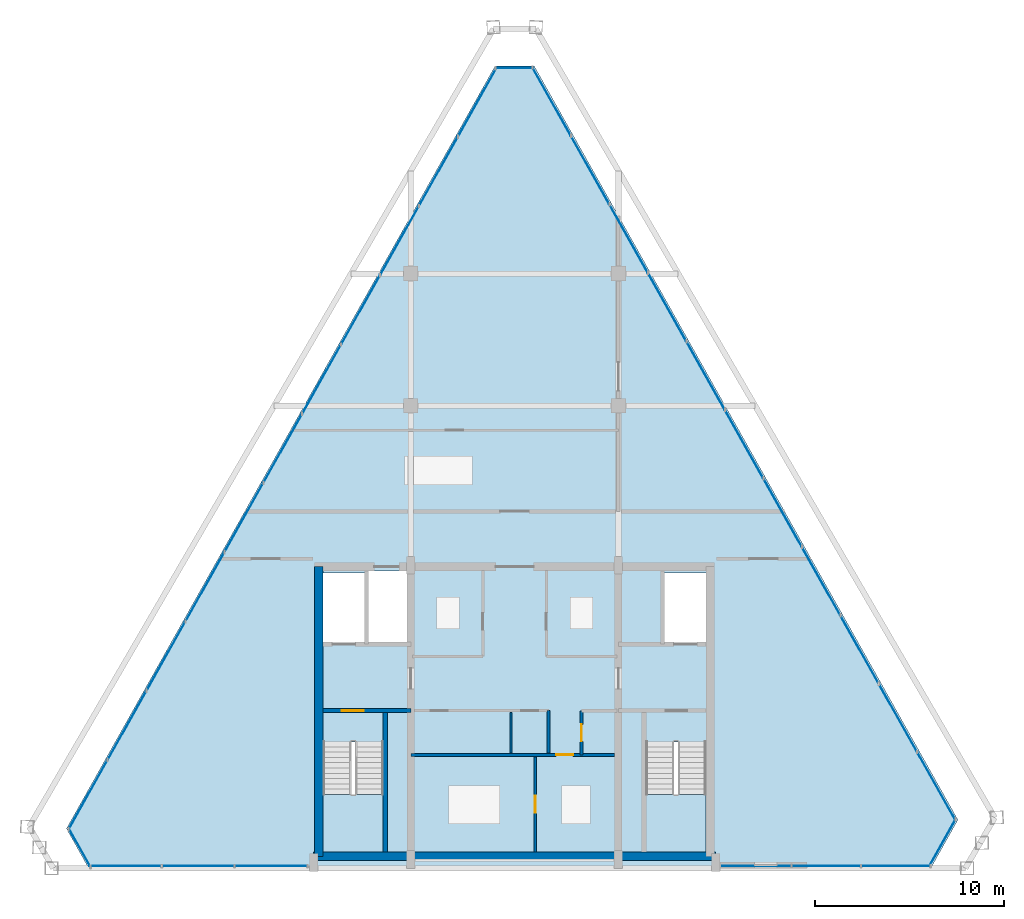
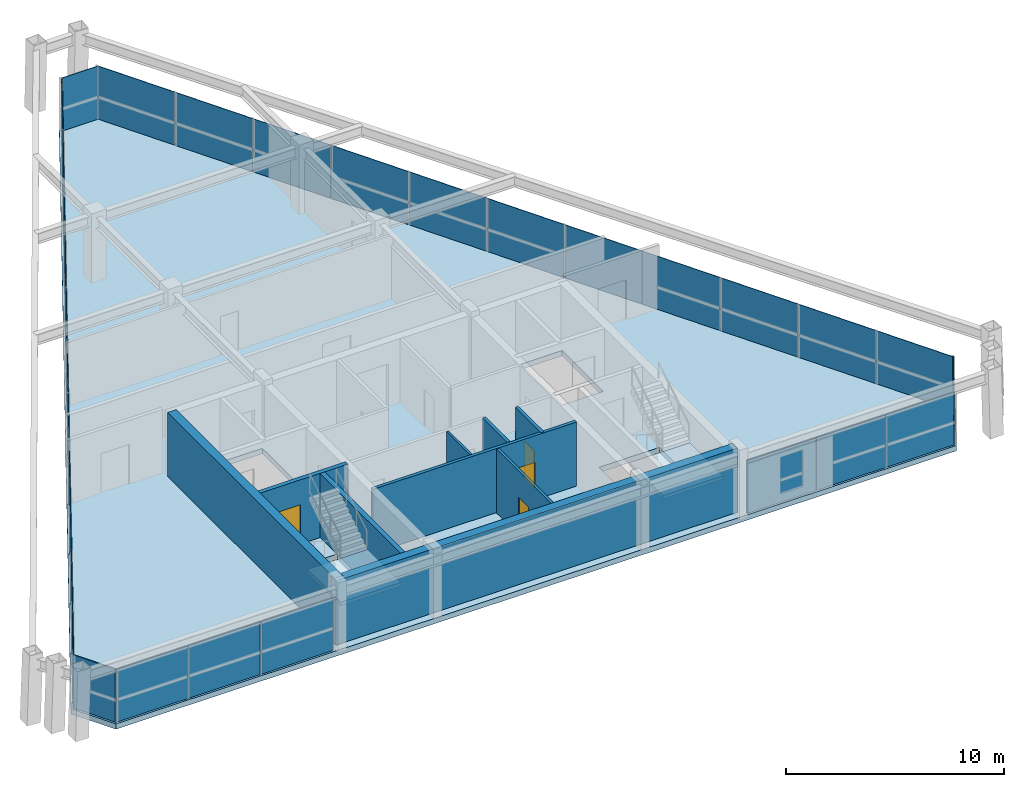
# One storey, part 9 of 12: 31 plates, 9 walls, 4 doors, 3 slabs, 4 openings, 9 elements without a shape of their own.
"""IFC4 building model written with IfcOpenShell, lengths in metres."""

from ifc_helpers import new_model, si_unit, direction, frame, frame_2d, origin, origin_2d, place, context, subcontext, project, spatial, polyline, rectangle, outline, extrude, source, transform, mapped, material, layer, layer_set, type_object, type_shapes, element, fill, aggregate, save


model = new_model("IFC4")

# Units and contexts
model_context = context("Model", 3, precision=1e-05, world=origin(), true_north=direction((0.0, 1.0)))
body_context = subcontext(model_context, "Body", "Model", "MODEL_VIEW")
ifc_project = project(units=[si_unit("LENGTHUNIT", "METRE"), si_unit("AREAUNIT", "SQUARE_METRE"), si_unit("VOLUMEUNIT", "CUBIC_METRE"), si_unit("PLANEANGLEUNIT", "RADIAN"), si_unit("MASSUNIT", "GRAM", prefix="KILO")], contexts=[model_context])

# Site, building, storey
site_placement = place(None, origin())
site = spatial("IfcSite", under=ifc_project, at=site_placement, CompositionType="ELEMENT")
building_placement = place(site_placement, origin())
building = spatial("IfcBuilding", under=site, at=building_placement, Name="Varnakhor Terracotta Tower", CompositionType="ELEMENT")
storey_placement = place(building_placement, frame((0.0, 0.0, 325.300048828125)))
storey = spatial("IfcBuildingStorey", under=building, at=storey_placement, Name="L85 Crown", CompositionType="ELEMENT", Elevation=325.300048828125)

# Stair, slab
ifc_material_1 = material(Name="Concrete C40/50", Category="concrete")
stair_type = type_object("IfcStairType", Name="STR-CORE-HOTEL-1500", PredefinedType="HALF_TURN_STAIR", material=ifc_material_1)
stair_1_placement = place(storey_placement, origin())
stair_1 = element("IfcStair", 1, at=stair_1_placement, inside=storey, type_object=stair_type, Name="L85 Crown Core Exit Stair ST-1", PredefinedType="HALF_TURN_STAIR")
ifc_layer_1 = layer(ifc_material_1, 0.179931640625, Name="Concrete C40/50")
ifc_layer_set_1 = layer_set([ifc_layer_1], Name="Concrete C40/50")
slab_type_1 = type_object("IfcSlabType", Name="SLB-LANDING-180", PredefinedType="LANDING", material=ifc_layer_set_1)
slab_1_placement = place(storey_placement, frame((0.0, 0.0, 1.75)))
slab_1 = element("IfcSlab", 2, at=slab_1_placement, type_object=slab_type_1, Name="ST-1 landing 1", PredefinedType="LANDING", context=body_context, shape_type="SweptSolid", body=[
    extrude(outline(polyline([(-10.14990234375, 3.909912109375), (-10.14990234375, 0.85009765625), (-6.949951171875, 0.85009765625), (-6.949951171875, 3.909912109375), (-10.14990234375, 3.909912109375)])), origin(), (0.0, 0.0, 1.0), 0.199951171875),
])
aggregate(stair_1, [slab_1])

stair_2_placement = place(storey_placement, origin())
stair_2 = element("IfcStair", 3, at=stair_2_placement, inside=storey, type_object=stair_type, Name="L85 Crown Core Exit Stair ST-2", PredefinedType="HALF_TURN_STAIR")
slab_2_placement = place(storey_placement, frame((0.0, 0.0, 1.75)))
slab_2 = element("IfcSlab", 4, at=slab_2_placement, type_object=slab_type_1, Name="ST-2 landing 1", PredefinedType="LANDING", context=body_context, shape_type="SweptSolid", body=[
    extrude(outline(polyline([(6.949951171875, 3.909912109375), (6.949951171875, 0.85009765625), (10.14990234375, 0.85009765625), (10.14990234375, 3.909912109375), (6.949951171875, 3.909912109375)])), origin(), (0.0, 0.0, 1.0), 0.199951171875),
])
aggregate(stair_2, [slab_2])

# Slab
ifc_layer_2 = layer(ifc_material_1, 0.300048828125, Name="Concrete C40/50")
ifc_layer_set_2 = layer_set([ifc_layer_2], Name="Concrete C40/50")
slab_type_2 = type_object("IfcSlabType", Name="SLB-PLANT-300", PredefinedType="FLOOR", material=ifc_layer_set_2)
slab_3_placement = place(storey_placement, frame((0.0, 0.0, -0.300048828125)))
element("IfcSlab", 5, at=slab_3_placement, inside=storey, type_object=slab_type_2, Name="L85 Crown Structural Floor Slab", PredefinedType="FLOOR", context=body_context, shape_type="SweptSolid", body=[
    extrude(outline(polyline([(-1.0341796875, 42.506103515625), (1.0341796875, 42.506103515625), (23.484130859375, 2.56103515625), (22.044921875, 0.0), (-22.568359375, 0.0), (-23.745849609375, 2.095458984375), (-1.0341796875, 42.506103515625)]), holes=[polyline([(-6.949951171875, 6.695068359375), (-10.14990234375, 6.695068359375), (-10.14990234375, 0.85009765625), (-6.949951171875, 0.85009765625), (-6.949951171875, 6.695068359375)]), polyline([(10.14990234375, 6.695068359375), (6.949951171875, 6.695068359375), (6.949951171875, 0.85009765625), (10.14990234375, 0.85009765625), (10.14990234375, 6.695068359375)]), polyline([(-7.949951171875, 15.64990234375), (-10.14990234375, 15.64990234375), (-10.14990234375, 11.8798828125), (-7.949951171875, 11.8798828125), (-7.949951171875, 15.64990234375)]), polyline([(10.14990234375, 11.8798828125), (10.14990234375, 15.64990234375), (7.949951171875, 15.64990234375), (7.949951171875, 11.8798828125), (10.14990234375, 11.8798828125)]), polyline([(-5.699951171875, 11.8798828125), (-5.699951171875, 15.75), (-7.72998046875, 15.75), (-7.72998046875, 11.8798828125), (-5.699951171875, 11.8798828125)])]), origin(), (0.0, 0.0, 1.0), 0.300048828125),
])

# Curtain wall, plates
ifc_material_2 = material(Name="Anodised Aluminium Curtain Wall System", Category="aluminium")
curtain_wall_type = type_object("IfcCurtainWallType", Name="CW-SYS-CROWN", PredefinedType="NOTDEFINED", material=ifc_material_2)
curtain_wall_1_placement = place(storey_placement, origin())
curtain_wall_1 = element("IfcCurtainWall", 6, at=curtain_wall_1_placement, inside=storey, type_object=curtain_wall_type, Name="L85 Crown Facet Curtain Wall 1", PredefinedType="NOTDEFINED")
ifc_material_3 = material(Name="Solar-Control Low-E Insulated Glass Panel", Category="glass")
ifc_layer_3 = layer(ifc_material_3, 0.0400390625, Name="Solar-Control Low-E Insulated Glass Panel")
ifc_layer_set_3 = layer_set([ifc_layer_3], Name="Solar-Control Low-E Insulated Glass Panel")
plate_type = type_object("IfcPlateType", Name="CWP-06", PredefinedType="CURTAIN_PANEL", material=ifc_layer_set_3)
shared_shape_1 = source(origin(), body_context, "Body", "SweptSolid", [
    extrude(rectangle(XDim=4.168701171875, YDim=0.035888671875, at=origin_2d()), origin(), (0.0, 0.0, 1.0), 2.97998046875),
])
plate_1_placement = place(storey_placement, frame((-22.595703125, 3.897216796875, 0.0), z_axis=(0.0, 0.0, 1.0), x_axis=(0.489945507432, 0.87175306122, 0.0)))
plate_1 = element("IfcPlate", 7, at=plate_1_placement, type_object=plate_type, Name="L85 Crown Facet Curtain Wall 1 Glazed Panel 1", PredefinedType="CURTAIN_PANEL", context=body_context, shape_type="MappedRepresentation", body=[
    mapped(shared_shape_1, transform((0.0, 0.0, 0.0), scale=1.0)),
])
plate_2_placement = place(storey_placement, frame((-20.53369140625, 7.566162109375, 0.0), z_axis=(0.0, 0.0, 1.0), x_axis=(0.489945507432, 0.87175306122, 0.0)))
plate_2 = element("IfcPlate", 8, at=plate_2_placement, type_object=plate_type, Name="L85 Crown Facet Curtain Wall 1 Glazed Panel 2", PredefinedType="CURTAIN_PANEL", context=body_context, shape_type="MappedRepresentation", body=[
    mapped(shared_shape_1, transform((0.0, 0.0, 0.0), scale=1.0)),
])
plate_3_placement = place(storey_placement, frame((-18.4716796875, 11.235107421875, 0.0), z_axis=(0.0, 0.0, 1.0), x_axis=(0.489945507432, 0.87175306122, 0.0)))
plate_3 = element("IfcPlate", 9, at=plate_3_placement, type_object=plate_type, Name="L85 Crown Facet Curtain Wall 1 Glazed Panel 3", PredefinedType="CURTAIN_PANEL", context=body_context, shape_type="MappedRepresentation", body=[
    mapped(shared_shape_1, transform((0.0, 0.0, 0.0), scale=1.0)),
])
plate_4_placement = place(storey_placement, frame((-16.409423828125, 14.904052734375, 0.0), z_axis=(0.0, 0.0, 1.0), x_axis=(0.489945507432, 0.87175306122, 0.0)))
plate_4 = element("IfcPlate", 10, at=plate_4_placement, type_object=plate_type, Name="L85 Crown Facet Curtain Wall 1 Glazed Panel 4", PredefinedType="CURTAIN_PANEL", context=body_context, shape_type="MappedRepresentation", body=[
    mapped(shared_shape_1, transform((0.0, 0.0, 0.0), scale=1.0)),
])
plate_5_placement = place(storey_placement, frame((-14.347412109375, 18.572998046875, 0.0), z_axis=(0.0, 0.0, 1.0), x_axis=(0.489945507432, 0.87175306122, 0.0)))
plate_5 = element("IfcPlate", 11, at=plate_5_placement, type_object=plate_type, Name="L85 Crown Facet Curtain Wall 1 Glazed Panel 5", PredefinedType="CURTAIN_PANEL", context=body_context, shape_type="MappedRepresentation", body=[
    mapped(shared_shape_1, transform((0.0, 0.0, 0.0), scale=1.0)),
])
plate_6_placement = place(storey_placement, frame((-12.285400390625, 22.241943359375, 0.0), z_axis=(0.0, 0.0, 1.0), x_axis=(0.489945507432, 0.87175306122, 0.0)))
plate_6 = element("IfcPlate", 12, at=plate_6_placement, type_object=plate_type, Name="L85 Crown Facet Curtain Wall 1 Glazed Panel 6", PredefinedType="CURTAIN_PANEL", context=body_context, shape_type="MappedRepresentation", body=[
    mapped(shared_shape_1, transform((0.0, 0.0, 0.0), scale=1.0)),
])
plate_7_placement = place(storey_placement, frame((-10.223388671875, 25.910888671875, 0.0), z_axis=(0.0, 0.0, 1.0), x_axis=(0.489945507432, 0.87175306122, 0.0)))
plate_7 = element("IfcPlate", 13, at=plate_7_placement, type_object=plate_type, Name="L85 Crown Facet Curtain Wall 1 Glazed Panel 7", PredefinedType="CURTAIN_PANEL", context=body_context, shape_type="MappedRepresentation", body=[
    mapped(shared_shape_1, transform((0.0, 0.0, 0.0), scale=1.0)),
])
plate_8_placement = place(storey_placement, frame((-8.16162109375, 29.579833984375, 0.0), z_axis=(0.0, 0.0, 1.0), x_axis=(0.489945507432, 0.87175306122, 0.0)))
plate_8 = element("IfcPlate", 14, at=plate_8_placement, type_object=plate_type, Name="L85 Crown Facet Curtain Wall 1 Glazed Panel 8", PredefinedType="CURTAIN_PANEL", context=body_context, shape_type="MappedRepresentation", body=[
    mapped(shared_shape_1, transform((0.0, 0.0, 0.0), scale=1.0)),
])
plate_9_placement = place(storey_placement, frame((-6.099365234375, 33.248779296875, 0.0), z_axis=(0.0, 0.0, 1.0), x_axis=(0.489945507432, 0.87175306122, 0.0)))
plate_9 = element("IfcPlate", 15, at=plate_9_placement, type_object=plate_type, Name="L85 Crown Facet Curtain Wall 1 Glazed Panel 9", PredefinedType="CURTAIN_PANEL", context=body_context, shape_type="MappedRepresentation", body=[
    mapped(shared_shape_1, transform((0.0, 0.0, 0.0), scale=1.0)),
])
plate_10_placement = place(storey_placement, frame((-4.037353515625, 36.917724609375, 0.0), z_axis=(0.0, 0.0, 1.0), x_axis=(0.489945507432, 0.87175306122, 0.0)))
plate_10 = element("IfcPlate", 16, at=plate_10_placement, type_object=plate_type, Name="L85 Crown Facet Curtain Wall 1 Glazed Panel 10", PredefinedType="CURTAIN_PANEL", context=body_context, shape_type="MappedRepresentation", body=[
    mapped(shared_shape_1, transform((0.0, 0.0, 0.0), scale=1.0)),
])
plate_11_placement = place(storey_placement, frame((-1.975341796875, 40.5869140625, 0.0), z_axis=(0.0, 0.0, 1.0), x_axis=(0.489945507432, 0.87175306122, 0.0)))
plate_11 = element("IfcPlate", 17, at=plate_11_placement, type_object=plate_type, Name="L85 Crown Facet Curtain Wall 1 Glazed Panel 11", PredefinedType="CURTAIN_PANEL", context=body_context, shape_type="MappedRepresentation", body=[
    mapped(shared_shape_1, transform((0.0, 0.0, 0.0), scale=1.0)),
])
aggregate(curtain_wall_1, [plate_1, plate_2, plate_3, plate_4, plate_5, plate_6, plate_7, plate_8, plate_9, plate_10, plate_11])

# Curtain wall, plate
curtain_wall_2_placement = place(storey_placement, origin())
curtain_wall_2 = element("IfcCurtainWall", 18, at=curtain_wall_2_placement, inside=storey, type_object=curtain_wall_type, Name="L85 Crown Facet Curtain Wall 2", PredefinedType="NOTDEFINED")
shared_shape_2 = source(origin(), body_context, "Body", "SweptSolid", [
    extrude(rectangle(XDim=1.968505859375, YDim=0.035888671875, at=origin_2d()), origin(), (0.0, 0.0, 1.0), 2.97998046875),
])
plate_12_placement = place(storey_placement, frame((0.0, 42.38623046875, 0.0), z_axis=(0.0, 0.0, 1.0), x_axis=(1.0, 0.0, 0.0)))
plate_12 = element("IfcPlate", 19, at=plate_12_placement, type_object=plate_type, Name="L85 Crown Facet Curtain Wall 2 Glazed Panel 1", PredefinedType="CURTAIN_PANEL", context=body_context, shape_type="MappedRepresentation", body=[
    mapped(shared_shape_2, transform((0.0, 0.0, 0.0), scale=1.0)),
])
aggregate(curtain_wall_2, [plate_12])

# Curtain wall, plates
curtain_wall_3_placement = place(storey_placement, origin())
curtain_wall_3 = element("IfcCurtainWall", 20, at=curtain_wall_3_placement, inside=storey, type_object=curtain_wall_type, Name="L85 Crown Facet Curtain Wall 3", PredefinedType="NOTDEFINED")
shared_shape_3 = source(origin(), body_context, "Body", "SweptSolid", [
    extrude(rectangle(XDim=4.1201171875, YDim=0.035888671875, at=origin_2d()), origin(), (0.0, 0.0, 1.0), 2.97998046875),
])
plate_13_placement = place(storey_placement, frame((1.96337890625, 40.60791015625, 0.0), z_axis=(0.0, 0.0, 1.0), x_axis=(0.489945507432, -0.87175306122, 0.0)))
plate_13 = element("IfcPlate", 21, at=plate_13_placement, type_object=plate_type, Name="L85 Crown Facet Curtain Wall 3 Glazed Panel 1", PredefinedType="CURTAIN_PANEL", context=body_context, shape_type="MappedRepresentation", body=[
    mapped(shared_shape_3, transform((0.0, 0.0, 0.0), scale=1.0)),
])
plate_14_placement = place(storey_placement, frame((4.001708984375, 36.981201171875, 0.0), z_axis=(0.0, 0.0, 1.0), x_axis=(0.489945507432, -0.87175306122, 0.0)))
plate_14 = element("IfcPlate", 22, at=plate_14_placement, type_object=plate_type, Name="L85 Crown Facet Curtain Wall 3 Glazed Panel 2", PredefinedType="CURTAIN_PANEL", context=body_context, shape_type="MappedRepresentation", body=[
    mapped(shared_shape_3, transform((0.0, 0.0, 0.0), scale=1.0)),
])
plate_15_placement = place(storey_placement, frame((6.0400390625, 33.354736328125, 0.0), z_axis=(0.0, 0.0, 1.0), x_axis=(0.489945507432, -0.87175306122, 0.0)))
plate_15 = element("IfcPlate", 23, at=plate_15_placement, type_object=plate_type, Name="L85 Crown Facet Curtain Wall 3 Glazed Panel 3", PredefinedType="CURTAIN_PANEL", context=body_context, shape_type="MappedRepresentation", body=[
    mapped(shared_shape_3, transform((0.0, 0.0, 0.0), scale=1.0)),
])
plate_16_placement = place(storey_placement, frame((8.078125, 29.72802734375, 0.0), z_axis=(0.0, 0.0, 1.0), x_axis=(0.489945507432, -0.87175306122, 0.0)))
plate_16 = element("IfcPlate", 24, at=plate_16_placement, type_object=plate_type, Name="L85 Crown Facet Curtain Wall 3 Glazed Panel 4", PredefinedType="CURTAIN_PANEL", context=body_context, shape_type="MappedRepresentation", body=[
    mapped(shared_shape_3, transform((0.0, 0.0, 0.0), scale=1.0)),
])
plate_17_placement = place(storey_placement, frame((10.116455078125, 26.101318359375, 0.0), z_axis=(0.0, 0.0, 1.0), x_axis=(0.489945507432, -0.87175306122, 0.0)))
plate_17 = element("IfcPlate", 25, at=plate_17_placement, type_object=plate_type, Name="L85 Crown Facet Curtain Wall 3 Glazed Panel 5", PredefinedType="CURTAIN_PANEL", context=body_context, shape_type="MappedRepresentation", body=[
    mapped(shared_shape_3, transform((0.0, 0.0, 0.0), scale=1.0)),
])
plate_18_placement = place(storey_placement, frame((12.15478515625, 22.474853515625, 0.0), z_axis=(0.0, 0.0, 1.0), x_axis=(0.489945507432, -0.87175306122, 0.0)))
plate_18 = element("IfcPlate", 26, at=plate_18_placement, type_object=plate_type, Name="L85 Crown Facet Curtain Wall 3 Glazed Panel 6", PredefinedType="CURTAIN_PANEL", context=body_context, shape_type="MappedRepresentation", body=[
    mapped(shared_shape_3, transform((0.0, 0.0, 0.0), scale=1.0)),
])
plate_19_placement = place(storey_placement, frame((14.19287109375, 18.84814453125, 0.0), z_axis=(0.0, 0.0, 1.0), x_axis=(0.489945507432, -0.87175306122, 0.0)))
plate_19 = element("IfcPlate", 27, at=plate_19_placement, type_object=plate_type, Name="L85 Crown Facet Curtain Wall 3 Glazed Panel 7", PredefinedType="CURTAIN_PANEL", context=body_context, shape_type="MappedRepresentation", body=[
    mapped(shared_shape_3, transform((0.0, 0.0, 0.0), scale=1.0)),
])
plate_20_placement = place(storey_placement, frame((16.231201171875, 15.2216796875, 0.0), z_axis=(0.0, 0.0, 1.0), x_axis=(0.489945507432, -0.87175306122, 0.0)))
plate_20 = element("IfcPlate", 28, at=plate_20_placement, type_object=plate_type, Name="L85 Crown Facet Curtain Wall 3 Glazed Panel 8", PredefinedType="CURTAIN_PANEL", context=body_context, shape_type="MappedRepresentation", body=[
    mapped(shared_shape_3, transform((0.0, 0.0, 0.0), scale=1.0)),
])
plate_21_placement = place(storey_placement, frame((18.269287109375, 11.594970703125, 0.0), z_axis=(0.0, 0.0, 1.0), x_axis=(0.489945507432, -0.87175306122, 0.0)))
plate_21 = element("IfcPlate", 29, at=plate_21_placement, type_object=plate_type, Name="L85 Crown Facet Curtain Wall 3 Glazed Panel 9", PredefinedType="CURTAIN_PANEL", context=body_context, shape_type="MappedRepresentation", body=[
    mapped(shared_shape_3, transform((0.0, 0.0, 0.0), scale=1.0)),
])
plate_22_placement = place(storey_placement, frame((20.3076171875, 7.96826171875, 0.0), z_axis=(0.0, 0.0, 1.0), x_axis=(0.489945507432, -0.87175306122, 0.0)))
plate_22 = element("IfcPlate", 30, at=plate_22_placement, type_object=plate_type, Name="L85 Crown Facet Curtain Wall 3 Glazed Panel 10", PredefinedType="CURTAIN_PANEL", context=body_context, shape_type="MappedRepresentation", body=[
    mapped(shared_shape_3, transform((0.0, 0.0, 0.0), scale=1.0)),
])
plate_23_placement = place(storey_placement, frame((22.345703125, 4.341796875, 0.0), z_axis=(0.0, 0.0, 1.0), x_axis=(0.489945507432, -0.87175306122, 0.0)))
plate_23 = element("IfcPlate", 31, at=plate_23_placement, type_object=plate_type, Name="L85 Crown Facet Curtain Wall 3 Glazed Panel 11", PredefinedType="CURTAIN_PANEL", context=body_context, shape_type="MappedRepresentation", body=[
    mapped(shared_shape_3, transform((0.0, 0.0, 0.0), scale=1.0)),
])
aggregate(curtain_wall_3, [plate_13, plate_14, plate_15, plate_16, plate_17, plate_18, plate_19, plate_20, plate_21, plate_22, plate_23])

# Curtain wall, plate
curtain_wall_4_placement = place(storey_placement, origin())
curtain_wall_4 = element("IfcCurtainWall", 32, at=curtain_wall_4_placement, inside=storey, type_object=curtain_wall_type, Name="L85 Crown Facet Curtain Wall 4", PredefinedType="NOTDEFINED")
shared_shape_4 = source(origin(), body_context, "Body", "SweptSolid", [
    extrude(rectangle(XDim=2.837646484375, YDim=0.035888671875, at=origin_2d()), origin(), (0.0, 0.0, 1.0), 2.97998046875),
])
plate_24_placement = place(storey_placement, frame((22.659912109375, 1.33935546875, 0.0), z_axis=(0.0, 0.0, 1.0), x_axis=(-0.489930292397, -0.87176161225, 0.0)))
plate_24 = element("IfcPlate", 33, at=plate_24_placement, type_object=plate_type, Name="L85 Crown Facet Curtain Wall 4 Glazed Panel 1", PredefinedType="CURTAIN_PANEL", context=body_context, shape_type="MappedRepresentation", body=[
    mapped(shared_shape_4, transform((0.0, 0.0, 0.0), scale=1.0)),
])
aggregate(curtain_wall_4, [plate_24])

# Curtain wall, plates
curtain_wall_5_placement = place(storey_placement, origin())
curtain_wall_5 = element("IfcCurtainWall", 34, at=curtain_wall_5_placement, inside=storey, type_object=curtain_wall_type, Name="L85 Crown South Wing Curtain Wall SSE", PredefinedType="NOTDEFINED")
shared_shape_5 = source(origin(), body_context, "Body", "SweptSolid", [
    extrude(rectangle(XDim=3.648193359375, YDim=0.035888671875, at=origin_2d()), origin(), (0.0, 0.0, 1.0), 2.97998046875),
])
plate_25_placement = place(storey_placement, frame((20.19091796875, 0.1201171875, 0.0), z_axis=(0.0, 0.0, 1.0), x_axis=(-1.0, 0.0, 0.0)))
plate_25 = element("IfcPlate", 35, at=plate_25_placement, type_object=plate_type, Name="L85 Crown South Wing Curtain Wall SSE Glazed Panel 1", PredefinedType="CURTAIN_PANEL", context=body_context, shape_type="MappedRepresentation", body=[
    mapped(shared_shape_5, transform((0.0, 0.0, 0.0), scale=1.0)),
])
plate_26_placement = place(storey_placement, frame((16.50244140625, 0.1201171875, 0.0), z_axis=(0.0, 0.0, 1.0), x_axis=(-1.0, 0.0, 0.0)))
plate_26 = element("IfcPlate", 36, at=plate_26_placement, type_object=plate_type, Name="L85 Crown South Wing Curtain Wall SSE Glazed Panel 2", PredefinedType="CURTAIN_PANEL", context=body_context, shape_type="MappedRepresentation", body=[
    mapped(shared_shape_5, transform((0.0, 0.0, 0.0), scale=1.0)),
])
plate_27_placement = place(storey_placement, frame((12.814208984375, 0.1201171875, 0.0), z_axis=(0.0, 0.0, 1.0), x_axis=(-1.0, 0.0, 0.0)))
plate_27 = element("IfcPlate", 37, at=plate_27_placement, type_object=plate_type, Name="L85 Crown South Wing Curtain Wall SSE Glazed Panel 3", PredefinedType="CURTAIN_PANEL", context=body_context, shape_type="MappedRepresentation", body=[
    mapped(shared_shape_5, transform((0.0, 0.0, 0.0), scale=1.0)),
])
aggregate(curtain_wall_5, [plate_25, plate_26, plate_27])

curtain_wall_6_placement = place(storey_placement, origin())
curtain_wall_6 = element("IfcCurtainWall", 38, at=curtain_wall_6_placement, inside=storey, type_object=curtain_wall_type, Name="L85 Crown South Wing Curtain Wall SSW", PredefinedType="NOTDEFINED")
shared_shape_6 = source(origin(), body_context, "Body", "SweptSolid", [
    extrude(rectangle(XDim=3.82275390625, YDim=0.035888671875, at=origin_2d()), origin(), (0.0, 0.0, 1.0), 2.97998046875),
])
plate_28_placement = place(storey_placement, frame((-12.9013671875, 0.1201171875, 0.0), z_axis=(0.0, 0.0, 1.0), x_axis=(-1.0, 0.0, 0.0)))
plate_28 = element("IfcPlate", 39, at=plate_28_placement, type_object=plate_type, Name="L85 Crown South Wing Curtain Wall SSW Glazed Panel 1", PredefinedType="CURTAIN_PANEL", context=body_context, shape_type="MappedRepresentation", body=[
    mapped(shared_shape_6, transform((0.0, 0.0, 0.0), scale=1.0)),
])
plate_29_placement = place(storey_placement, frame((-16.76416015625, 0.1201171875, 0.0), z_axis=(0.0, 0.0, 1.0), x_axis=(-1.0, 0.0, 0.0)))
plate_29 = element("IfcPlate", 40, at=plate_29_placement, type_object=plate_type, Name="L85 Crown South Wing Curtain Wall SSW Glazed Panel 2", PredefinedType="CURTAIN_PANEL", context=body_context, shape_type="MappedRepresentation", body=[
    mapped(shared_shape_6, transform((0.0, 0.0, 0.0), scale=1.0)),
])
plate_30_placement = place(storey_placement, frame((-20.626953125, 0.1201171875, 0.0), z_axis=(0.0, 0.0, 1.0), x_axis=(-1.0, 0.0, 0.0)))
plate_30 = element("IfcPlate", 41, at=plate_30_placement, type_object=plate_type, Name="L85 Crown South Wing Curtain Wall SSW Glazed Panel 3", PredefinedType="CURTAIN_PANEL", context=body_context, shape_type="MappedRepresentation", body=[
    mapped(shared_shape_6, transform((0.0, 0.0, 0.0), scale=1.0)),
])
aggregate(curtain_wall_6, [plate_28, plate_29, plate_30])

# Curtain wall, plate
curtain_wall_7_placement = place(storey_placement, origin())
curtain_wall_7 = element("IfcCurtainWall", 42, at=curtain_wall_7_placement, inside=storey, type_object=curtain_wall_type, Name="L85 Crown Facet Curtain Wall 6", PredefinedType="NOTDEFINED")
shared_shape_7 = source(origin(), body_context, "Body", "SweptSolid", [
    extrude(rectangle(XDim=2.3037109375, YDim=0.035888671875, at=origin_2d()), origin(), (0.0, 0.0, 1.0), 2.97998046875),
])
plate_31_placement = place(storey_placement, frame((-23.052490234375, 1.1064453125, 0.0), z_axis=(0.0, 0.0, 1.0), x_axis=(-0.489930292397, 0.87176161225, 0.0)))
plate_31 = element("IfcPlate", 43, at=plate_31_placement, type_object=plate_type, Name="L85 Crown Facet Curtain Wall 6 Glazed Panel 1", PredefinedType="CURTAIN_PANEL", context=body_context, shape_type="MappedRepresentation", body=[
    mapped(shared_shape_7, transform((0.0, 0.0, 0.0), scale=1.0)),
])
aggregate(curtain_wall_7, [plate_31])

# Walls
ifc_material_4 = material(Name="Concrete C50/60", Category="concrete")
ifc_layer_4 = layer(ifc_material_4, 0.449951171875, Name="Concrete C50/60")
ifc_layer_set_4 = layer_set([ifc_layer_4], Name="Concrete C50/60")
wall_type_1 = type_object("IfcWallType", Name="WAL-CORE-450", PredefinedType="SHEAR", material=ifc_layer_set_4)
wall_1_placement = place(storey_placement, frame((-10.64990234375, 0.625, 0.0), z_axis=(0.0, 0.0, 1.0), x_axis=(1.0, 0.0, 0.0)))
element("IfcWall", 44, at=wall_1_placement, inside=storey, type_object=wall_type_1, Name="L85 Crown South Core Shear Wall", PredefinedType="SHEAR", context=body_context, shape_type="SweptSolid", body=[
    extrude(rectangle(XDim=21.2998046875, YDim=0.449951171875, at=frame_2d((10.64990234375, 0.0))), origin(), (0.0, 0.0, 1.0), 3.599853515625),
])
wall_2_placement = place(storey_placement, frame((-10.375, 0.625, 0.0), z_axis=(0.0, 0.0, 1.0), x_axis=(0.0, 1.0, 0.0)))
element("IfcWall", 45, at=wall_2_placement, inside=storey, type_object=wall_type_1, Name="L85 Crown West Core Shear Wall", PredefinedType="SHEAR", context=body_context, shape_type="SweptSolid", body=[
    extrude(rectangle(XDim=15.35009765625, YDim=0.449951171875, at=frame_2d((7.675048828125, 0.0))), origin(), (0.0, 0.0, 1.0), 3.599853515625),
])

# Wall, opening, door
ifc_layer_5 = layer(ifc_material_1, 0.219970703125, Name="Concrete C40/50")
ifc_layer_set_5 = layer_set([ifc_layer_5], Name="Concrete C40/50")
wall_type_2 = type_object("IfcWallType", Name="WAL-FFLOBBY-220", PredefinedType="SOLIDWALL", material=ifc_layer_set_5)
wall_3_placement = place(storey_placement, frame((-5.5, 8.35009765625, 0.0), z_axis=(0.0, 0.0, 1.0), x_axis=(-1.0, 0.0, 0.0)))
wall_3 = element("IfcWall", 46, at=wall_3_placement, inside=storey, type_object=wall_type_2, Name="L85 Crown West Firefighting Lobby Stair Wall", PredefinedType="SOLIDWALL", context=body_context, shape_type="SweptSolid", body=[
    extrude(rectangle(XDim=4.64990234375, YDim=0.219970703125, at=frame_2d((2.324951171875, 0.0))), origin(), (0.0, 0.0, 1.0), 3.599853515625),
])
opening_1_placement = place(wall_3_placement, frame((2.5, 0.0, 0.0)))
opening_1 = element("IfcOpeningElement", 47, at=opening_1_placement, cuts=wall_3, Name="Opening DR-34", PredefinedType="OPENING", context=body_context, shape_type="SweptSolid", body=[
    extrude(rectangle(XDim=1.14990234375, YDim=2.199951171875, at=frame_2d((0.574951171875, 1.10009765625))), frame((0.0, 0.1201171875, 0.0), z_axis=(0.0, -1.0, 0.0), x_axis=(1.0, 0.0, 0.0)), (0.0, 0.0, 1.0), 0.239990234375),
])
ifc_material_5 = material(Name="Self-Closing Smoke-Sealed Steel Fire Door", Category="steel")
door_type_1 = type_object("IfcDoorType", Name="DR-STAIR-1150X2200", OperationType="NOTDEFINED", PredefinedType="DOOR", material=ifc_material_5)
shared_shape_8 = source(origin(), body_context, "Body", "SweptSolid", [
    extrude(rectangle(XDim=1.14990234375, YDim=2.199951171875, at=frame_2d((0.574951171875, 1.10009765625))), frame((0.0, 0.02490234375, 0.0), z_axis=(0.0, -1.0, 0.0), x_axis=(1.0, 0.0, 0.0)), (0.0, 0.0, 1.0), 0.050048828125),
])
type_shapes(door_type_1, [shared_shape_8])
door_1_placement = place(opening_1_placement, origin())
door_1 = element("IfcDoor", 48, at=door_1_placement, inside=storey, type_object=door_type_1, Name="L85 Crown Exit Stair ST-1 Fire Door", OperationType="SINGLE_SWING_RIGHT", OverallHeight=2.199951171875, OverallWidth=1.14990234375, PredefinedType="DOOR", context=body_context, shape_type="MappedRepresentation", body=[
    mapped(shared_shape_8, transform((0.0, 0.0, 0.0), scale=1.0)),
])
fill(opening_1, door_1)

# Walls
ifc_layer_6 = layer(ifc_material_1, 0.25, Name="Concrete C40/50")
ifc_layer_set_6 = layer_set([ifc_layer_6], Name="Concrete C40/50")
wall_type_3 = type_object("IfcWallType", Name="WAL-SHAFT-250", PredefinedType="SOLIDWALL", material=ifc_layer_set_6)
wall_4_placement = place(storey_placement, frame((-6.85009765625, 0.85009765625, 0.0), z_axis=(0.0, 0.0, 1.0), x_axis=(0.0, 1.0, 0.0)))
element("IfcWall", 49, at=wall_4_placement, inside=storey, type_object=wall_type_3, Name="L85 Crown Stair ST-1 Bearing Shaft Wall", PredefinedType="SOLIDWALL", context=body_context, shape_type="SweptSolid", body=[
    extrude(rectangle(XDim=7.5, YDim=0.25, at=frame_2d((3.75, 0.0))), origin(), (0.0, 0.0, 1.0), 3.599853515625),
])
ifc_material_6 = material(Name="Acoustic Fire-Rated Partition", Category="gypsum")
ifc_layer_7 = layer(ifc_material_6, 0.114990234375, Name="Acoustic Fire-Rated Partition")
ifc_layer_set_7 = layer_set([ifc_layer_7], Name="Acoustic Fire-Rated Partition")
wall_type_4 = type_object("IfcWallType", Name="WAL-TENANCY-115", PredefinedType="PARTITIONING", material=ifc_layer_set_7)
wall_5_placement = place(storey_placement, frame((-0.199951171875, 6.10009765625, 0.0), z_axis=(0.0, 0.0, 1.0), x_axis=(0.0, 1.0, 0.0)))
element("IfcWall", 50, at=wall_5_placement, inside=storey, type_object=wall_type_4, Name="L85 Crown Reclaimed Mid-Core Split Wall", PredefinedType="PARTITIONING", context=body_context, shape_type="SweptSolid", body=[
    extrude(rectangle(XDim=2.14990234375, YDim=0.114990234375, at=frame_2d((1.074951171875, 0.0))), origin(), (0.0, 0.0, 1.0), 3.592041015625),
])

# Wall, opening, door
ifc_layer_8 = layer(ifc_material_6, 0.139892578125, Name="Acoustic Fire-Rated Partition")
ifc_layer_set_8 = layer_set([ifc_layer_8], Name="Acoustic Fire-Rated Partition")
wall_type_5 = type_object("IfcWallType", Name="WAL-TENANCY-140", PredefinedType="PARTITIONING", material=ifc_layer_set_8)
wall_6_placement = place(storey_placement, frame((1.10009765625, 0.85009765625, 0.0), z_axis=(0.0, 0.0, 1.0), x_axis=(0.0, 1.0, 0.0)))
wall_6 = element("IfcWall", 51, at=wall_6_placement, inside=storey, type_object=wall_type_5, Name="L85 Crown Reclaimed Core Bay Split Wall", PredefinedType="PARTITIONING", context=body_context, shape_type="SweptSolid", body=[
    extrude(rectangle(XDim=5.02978515625, YDim=0.139892578125, at=frame_2d((2.514892578125, 0.0))), origin(), (0.0, 0.0, 1.0), 3.592041015625),
])
opening_2_placement = place(wall_6_placement, frame((2.10009765625, 0.0, 0.0)))
opening_2 = element("IfcOpeningElement", 52, at=opening_2_placement, cuts=wall_6, Name="Opening DR-67", PredefinedType="OPENING", context=body_context, shape_type="SweptSolid", body=[
    extrude(rectangle(XDim=0.89990234375, YDim=2.10009765625, at=frame_2d((0.449951171875, 1.050048828125))), frame((0.0, 0.080078125, 0.0), z_axis=(0.0, -1.0, 0.0), x_axis=(1.0, 0.0, 0.0)), (0.0, 0.0, 1.0), 0.159912109375),
])
ifc_material_7 = material(Name="Steel Service Riser Fire Door", Category="steel")
door_type_2 = type_object("IfcDoorType", Name="DR-RISER-900X2100", OperationType="NOTDEFINED", PredefinedType="DOOR", material=ifc_material_7)
shared_shape_9 = source(origin(), body_context, "Body", "SweptSolid", [
    extrude(rectangle(XDim=0.89990234375, YDim=2.10009765625, at=frame_2d((0.449951171875, 1.050048828125))), frame((0.0, 0.02490234375, 0.0), z_axis=(0.0, -1.0, 0.0), x_axis=(1.0, 0.0, 0.0)), (0.0, 0.0, 1.0), 0.050048828125),
])
type_shapes(door_type_2, [shared_shape_9])
door_2_placement = place(opening_2_placement, origin())
door_2 = element("IfcDoor", 53, at=door_2_placement, inside=storey, type_object=door_type_2, Name="L85 Crown Core Inner Service Door", OperationType="SINGLE_SWING_LEFT", OverallHeight=2.10009765625, OverallWidth=0.89990234375, PredefinedType="DOOR", context=body_context, shape_type="MappedRepresentation", body=[
    mapped(shared_shape_9, transform((0.0, 0.0, 0.0), scale=1.0)),
])
fill(opening_2, door_2)

ifc_layer_9 = layer(ifc_material_6, 0.1650390625, Name="Acoustic Fire-Rated Partition")
ifc_layer_set_9 = layer_set([ifc_layer_9], Name="Acoustic Fire-Rated Partition")
wall_type_6 = type_object("IfcWallType", Name="WAL-TENANCY-165", PredefinedType="PARTITIONING", material=ifc_layer_set_9)
wall_7_placement = place(storey_placement, frame((-5.5, 6.0, 0.0), z_axis=(0.0, 0.0, 1.0), x_axis=(1.0, 0.0, 0.0)))
wall_7 = element("IfcWall", 54, at=wall_7_placement, inside=storey, type_object=wall_type_6, Name="L85 Crown Reclaimed Core Bay North Rated Wall", PredefinedType="PARTITIONING", context=body_context, shape_type="SweptSolid", body=[
    extrude(rectangle(XDim=10.800048828125, YDim=0.1650390625, at=frame_2d((5.39990234375, 0.0))), origin(), (0.0, 0.0, 1.0), 3.592041015625),
])
opening_3_placement = place(wall_7_placement, frame((7.699951171875, 0.0, 0.0)))
opening_3 = element("IfcOpeningElement", 55, at=opening_3_placement, cuts=wall_7, Name="Opening DR-67", PredefinedType="OPENING", context=body_context, shape_type="SweptSolid", body=[
    extrude(rectangle(XDim=0.89990234375, YDim=2.10009765625, at=frame_2d((0.449951171875, 1.050048828125))), frame((0.0, 0.092529296875, 0.0), z_axis=(0.0, -1.0, 0.0), x_axis=(1.0, 0.0, 0.0)), (0.0, 0.0, 1.0), 0.18505859375),
])
door_3_placement = place(opening_3_placement, origin())
door_3 = element("IfcDoor", 56, at=door_3_placement, inside=storey, type_object=door_type_2, Name="L85 Crown Core Reclaimed Suite Door", OperationType="SINGLE_SWING_RIGHT", OverallHeight=2.10009765625, OverallWidth=0.89990234375, PredefinedType="DOOR", context=body_context, shape_type="MappedRepresentation", body=[
    mapped(shared_shape_9, transform((0.0, 0.0, 0.0), scale=1.0)),
])
fill(opening_3, door_3)

wall_8_placement = place(storey_placement, frame((3.5400390625, 6.0, 0.0), z_axis=(0.0, 0.0, 1.0), x_axis=(0.0, 1.0, 0.0)))
wall_8 = element("IfcWall", 57, at=wall_8_placement, inside=storey, type_object=wall_type_6, Name="L85 Crown Accessible WC Rated Wall", PredefinedType="PARTITIONING", context=body_context, shape_type="SweptSolid", body=[
    extrude(rectangle(XDim=2.340087890625, YDim=0.1650390625, at=frame_2d((1.169921875, 0.0))), origin(), (0.0, 0.0, 1.0), 3.592041015625),
])
opening_4_placement = place(wall_8_placement, frame((0.719970703125, 0.0, 0.0)))
opening_4 = element("IfcOpeningElement", 58, at=opening_4_placement, cuts=wall_8, Name="Opening DR-67", PredefinedType="OPENING", context=body_context, shape_type="SweptSolid", body=[
    extrude(rectangle(XDim=0.89990234375, YDim=2.10009765625, at=frame_2d((0.449951171875, 1.050048828125))), frame((0.0, 0.092529296875, 0.0), z_axis=(0.0, -1.0, 0.0), x_axis=(1.0, 0.0, 0.0)), (0.0, 0.0, 1.0), 0.18505859375),
])
door_4_placement = place(opening_4_placement, origin())
door_4 = element("IfcDoor", 59, at=door_4_placement, inside=storey, type_object=door_type_2, Name="L85 Crown Accessible WC Door", OperationType="SINGLE_SWING_RIGHT", OverallHeight=2.10009765625, OverallWidth=0.89990234375, PredefinedType="DOOR", context=body_context, shape_type="MappedRepresentation", body=[
    mapped(shared_shape_9, transform((0.0, 0.0, 0.0), scale=1.0)),
])
fill(opening_4, door_4)

# Wall
wall_9_placement = place(storey_placement, frame((1.800048828125, 6.10009765625, 0.0), z_axis=(0.0, 0.0, 1.0), x_axis=(0.0, 1.0, 0.0)))
element("IfcWall", 60, at=wall_9_placement, inside=storey, type_object=wall_type_6, Name="L85 Crown Reclaimed Mid-Core East Wall", PredefinedType="PARTITIONING", context=body_context, shape_type="SweptSolid", body=[
    extrude(rectangle(XDim=2.25, YDim=0.1650390625, at=frame_2d((1.125, 0.0))), origin(), (0.0, 0.0, 1.0), 3.592041015625),
])

save(model, "model.ifc")
